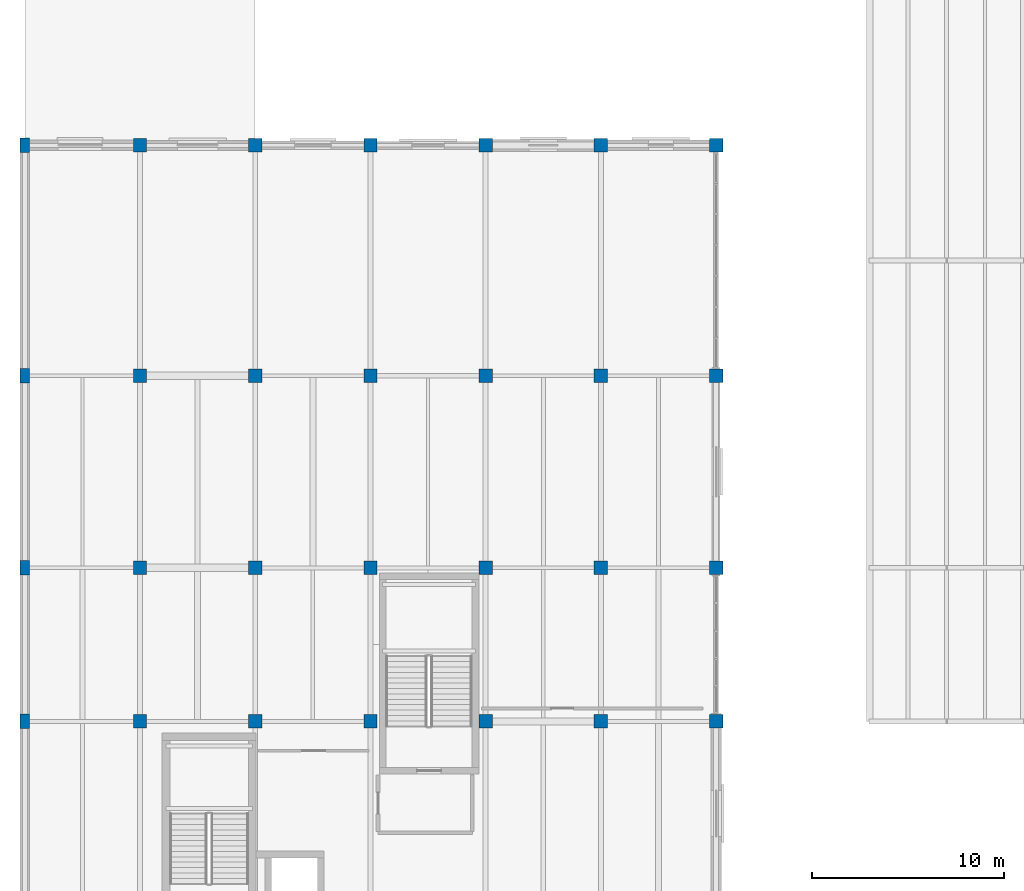
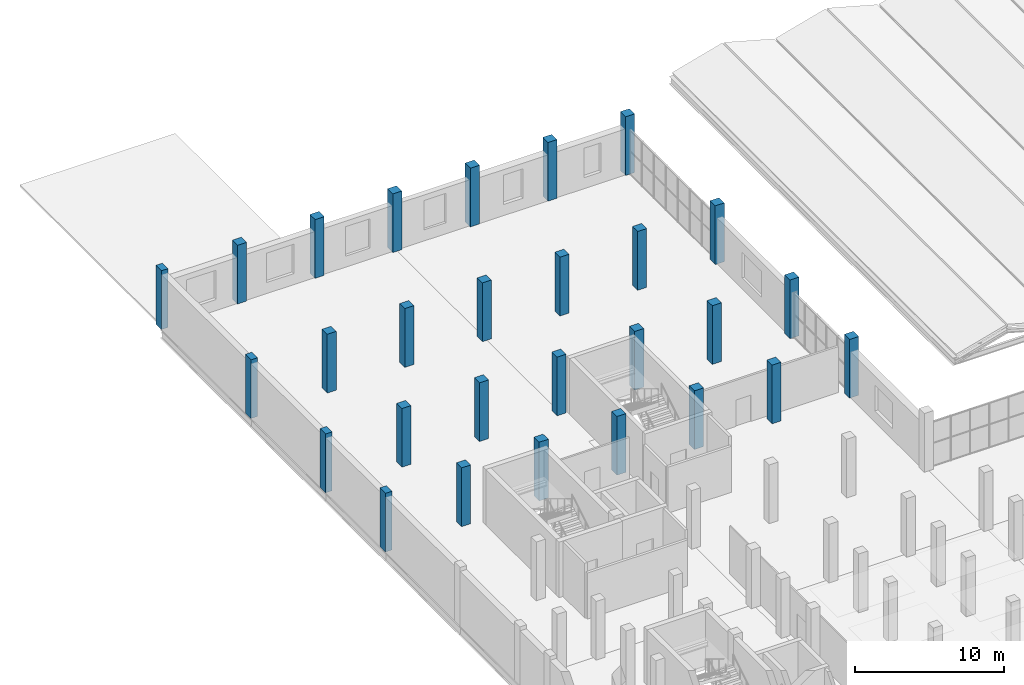
# One storey, part 9 of 114: 28 columns.
"""IFC4 building model written with IfcOpenShell, lengths in metres."""

import ifcopenshell
import ifcopenshell.guid

model = None  # the IFC model being written
_history = None  # IfcOwnerHistory: only IFC2X3 demands one
_inside = {}  # id of a spatial element -> (the spatial element, [elements in it])
_under = {}  # id of a project, library or spatial element -> (it, [spatial elements below it])
_declared = {}  # id of a project -> (the project, [libraries it declares])
_typed = {}  # id of a type object -> (the type object, [elements of that type])
_made_of = {}  # id of a material, layer set ... -> (it, [elements and type objects made of it])


def new_model(schema):
    """Start an empty IFC model of exactly this schema.

    Asked for "IFC4X3", IfcOpenShell would pick the latest addendum, in which some entities
    have other attributes; the version numbers below select the first issue.
    IFC2X3 requires an IfcOwnerHistory on every rooted entity: one is made here for all.
    """
    global model, _history
    if schema == "IFC4X3":
        model = ifcopenshell.file(schema_version=(4, 3, 0, 0))
    else:
        model = ifcopenshell.file(schema=schema)
    _inside.clear()
    _under.clear()
    _declared.clear()
    _typed.clear()
    _made_of.clear()
    _history = None
    if model.schema == "IFC2X3":
        org = make("IfcOrganization", Name="unknown")
        user = make(
            "IfcPersonAndOrganization",
            ThePerson=make("IfcPerson", FamilyName="unknown"),
            TheOrganization=org,
        )
        app = make(
            "IfcApplication",
            ApplicationDeveloper=org,
            Version="unknown",
            ApplicationFullName="unknown",
            ApplicationIdentifier="unknown",
        )
        _history = make(
            "IfcOwnerHistory",
            OwningUser=user,
            OwningApplication=app,
            ChangeAction="ADDED",
            CreationDate=0,
        )
    return model


def make(cls, **values):
    """One entity of the class cls with the attributes given. An attribute that is None is left unset."""
    return model.create_entity(
        cls, **{name: value for name, value in values.items() if value is not None}
    )


def rooted(cls, **values):
    """An entity with a GlobalId (a new one), such as an element, a storey or a relation."""
    return make(cls, GlobalId=ifcopenshell.guid.new(), OwnerHistory=_history, **values)


def si_unit(unit_type, name, prefix=None):
    """IfcSIUnit, for example si_unit("LENGTHUNIT", "METRE", prefix="MILLI")."""
    return make("IfcSIUnit", UnitType=unit_type, Prefix=prefix, Name=name)


def assignment(units):
    """IfcUnitAssignment: the units of a project."""
    return None if units is None else make("IfcUnitAssignment", Units=units)


def point(xyz):
    """IfcCartesianPoint."""
    return None if xyz is None else make("IfcCartesianPoint", Coordinates=xyz)


def direction(xyz):
    """IfcDirection."""
    return None if xyz is None else make("IfcDirection", DirectionRatios=xyz)


def frame(location, z_axis=None, x_axis=None):
    """IfcAxis2Placement3D, a coordinate frame: its origin and axes. An axis left out is left unset."""
    return make(
        "IfcAxis2Placement3D",
        Location=point(location),
        Axis=direction(z_axis),
        RefDirection=direction(x_axis),
    )


def frame_2d(location, x_axis=None):
    """IfcAxis2Placement2D, a coordinate frame in the plane: its origin and x axis."""
    return make(
        "IfcAxis2Placement2D", Location=point(location), RefDirection=direction(x_axis)
    )


def origin():
    """The frame at (0, 0, 0) with its axes left unset."""
    return frame((0.0, 0.0, 0.0))


def origin_2d():
    """The frame at (0, 0) in the plane with its x axis left unset."""
    return frame_2d((0.0, 0.0))


def place(relative_to, where):
    """IfcLocalPlacement: puts the frame where relative to a parent placement (None: the world)."""
    return make(
        "IfcLocalPlacement", PlacementRelTo=relative_to, RelativePlacement=where
    )


def context(
    kind, dimensions, precision=None, world=None, true_north=None, identifier=None
):
    """IfcGeometricRepresentationContext, for example the 3D "Model" context."""
    return make(
        "IfcGeometricRepresentationContext",
        ContextIdentifier=identifier,
        ContextType=kind,
        CoordinateSpaceDimension=dimensions,
        Precision=precision,
        WorldCoordinateSystem=world,
        TrueNorth=true_north,
    )


def subcontext(parent, identifier, kind, view, scale=None):
    """IfcGeometricRepresentationSubContext, for example "Body" below "Model"."""
    return make(
        "IfcGeometricRepresentationSubContext",
        ContextIdentifier=identifier,
        ContextType=kind,
        ParentContext=parent,
        TargetScale=scale,
        TargetView=view,
    )


def project(units=None, contexts=None):
    """IfcProject with its units and contexts."""
    return rooted(
        "IfcProject",
        Name="project",
        RepresentationContexts=contexts,
        UnitsInContext=assignment(units),
    )


def spatial(cls, under=None, at=None, **own):
    """A site, building, storey or space (cls), placed at a placement, below another one or the project."""
    s = rooted(cls, ObjectPlacement=at, **own)
    if under is not None:
        _under.setdefault(under.id(), (under, []))[1].append(s)
    return s


def profile(cls, at=None, kind="AREA", **sizes):
    """A parametric profile (cls). Its sizes go by their IFC names, for example OverallWidth=200.0."""
    return make(cls, ProfileType=kind, Position=at, **sizes)


def rectangle(**sizes):
    """IfcRectangleProfileDef."""
    return profile("IfcRectangleProfileDef", **sizes)


def extrude(swept, where, along, depth):
    """IfcExtrudedAreaSolid: the profile swept, set in the frame where, extruded along a direction by depth."""
    return make(
        "IfcExtrudedAreaSolid",
        SweptArea=swept,
        Position=where,
        ExtrudedDirection=direction(along),
        Depth=depth,
    )


def shape(context_of_items, identifier, shape_type, items):
    """IfcShapeRepresentation: the items that make up one representation, for example the "Body"."""
    return make(
        "IfcShapeRepresentation",
        ContextOfItems=context_of_items,
        RepresentationIdentifier=identifier,
        RepresentationType=shape_type,
        Items=items,
    )


def material(Name=None, Category=None):
    """IfcMaterial."""
    return make("IfcMaterial", Name=Name, Category=Category)


def material_profile(
    of_material, cross_section, Name=None, Category=None, Priority=None
):
    """IfcMaterialProfile: a cross section and its material."""
    return make(
        "IfcMaterialProfile",
        Name=Name,
        Material=of_material,
        Profile=cross_section,
        Priority=Priority,
        Category=Category,
    )


def profile_set(profiles, Name=None, composite=None):
    """IfcMaterialProfileSet."""
    return make(
        "IfcMaterialProfileSet",
        Name=Name,
        MaterialProfiles=profiles,
        CompositeProfile=composite,
    )


def made_of(thing, what):
    """Note that an element or type object is made of a material, layer set ...; save() writes the relation."""
    if what is not None:
        _made_of.setdefault(what.id(), (what, []))[1].append(thing)
    return thing


def type_object(cls, material=None, **own):
    """A type object (cls), such as IfcWallType, which elements share."""
    return made_of(rooted(cls, **own), material)


def element(
    cls,
    number,
    at=None,
    inside=None,
    cuts=None,
    type_object=None,
    material=None,
    context=None,
    identifier="Body",
    shape_type=None,
    held_by="IfcProductDefinitionShape",
    body=None,
    shapes=None,
    **own,
):
    """One element of the class cls, such as IfcWall. Its Tag is "e" and its number.

    at: its placement. inside: the storey or other place that contains it. cuts: it is an
    opening in that element (IfcRelVoidsElement). A single representation is given by context,
    identifier, shape_type and body (its items); several are given by shapes. held_by: the class
    of the entity that holds the representations. save() writes the other relations.
    """
    e = rooted(cls, Tag="e%d" % number, ObjectPlacement=at, **own)
    if body is not None:
        shapes = [shape(context, identifier, shape_type, body)]
    if shapes is not None:
        e.Representation = make(held_by, Representations=shapes)
    if inside is not None:
        _inside.setdefault(inside.id(), (inside, []))[1].append(e)
    if cuts is not None:
        rooted(
            "IfcRelVoidsElement", RelatingBuildingElement=cuts, RelatedOpeningElement=e
        )
    if type_object is not None:
        _typed.setdefault(type_object.id(), (type_object, []))[1].append(e)
    return made_of(e, material)


def aggregate(whole, parts):
    """IfcRelAggregates: a whole, such as a stair, and the parts it consists of."""
    return rooted("IfcRelAggregates", RelatingObject=whole, RelatedObjects=parts)


def save(model, path):
    """Write the relations noted so far, then the file.

    IfcRelAggregates (storeys below a building ...), IfcRelContainedInSpatialStructure (elements
    in a storey), IfcRelDefinesByType, IfcRelAssociatesMaterial and IfcRelDeclares: one each for
    every whole, place, type object, material and project.
    """
    for whole, parts in _under.values():
        aggregate(whole, parts)
    for where, things in _inside.values():
        rooted(
            "IfcRelContainedInSpatialStructure",
            RelatedElements=things,
            RelatingStructure=where,
        )
    for kind, things in _typed.values():
        rooted("IfcRelDefinesByType", RelatedObjects=things, RelatingType=kind)
    for what, things in _made_of.values():
        rooted("IfcRelAssociatesMaterial", RelatedObjects=things, RelatingMaterial=what)
    for by, libraries in _declared.values():
        rooted("IfcRelDeclares", RelatingContext=by, RelatedDefinitions=libraries)
    model.write(path)


model = new_model("IFC4")

# Units and contexts
model_context = context("Model", 3, precision=1e-05, world=origin(), true_north=direction((0.0, 1.0)))
body_context = subcontext(model_context, "Body", "Model", "MODEL_VIEW")
ifc_project = project(units=[si_unit("LENGTHUNIT", "METRE"), si_unit("AREAUNIT", "SQUARE_METRE"), si_unit("VOLUMEUNIT", "CUBIC_METRE"), si_unit("PLANEANGLEUNIT", "RADIAN"), si_unit("MASSUNIT", "GRAM", prefix="KILO")], contexts=[model_context])

# Site, building, storey
site_placement = place(None, origin())
site = spatial("IfcSite", under=ifc_project, at=site_placement, CompositionType="ELEMENT")
building_placement = place(site_placement, origin())
building = spatial("IfcBuilding", under=site, at=building_placement, Name="Verrall Gate Interchange", CompositionType="ELEMENT")
storey_placement = place(building_placement, frame((0.0, 0.0, 6.60009765625)))
storey = spatial("IfcBuildingStorey", under=building, at=storey_placement, Name="L02", CompositionType="ELEMENT", Elevation=6.60009765625)

# Columns
ifc_material_1 = material(Name="Concrete CSA A23.1 40 MPa (Class N)", Category="concrete")
ifc_material_profile_1 = material_profile(ifc_material_1, rectangle(XDim=0.699951171875, YDim=0.699951171875, at=origin_2d()), Name="RC700x700")
ifc_profile_set_1 = profile_set([ifc_material_profile_1], Name="Concrete CSA A23.1 40 MPa (Class N)")
column_type_1 = type_object("IfcColumnType", Name="C-03 Column RC700x700", PredefinedType="COLUMN", material=ifc_profile_set_1)
for number, where, z_axis, x_axis, name in (
    (1, (6.0, 66.0, 0.0), (0.0, 0.0, 1.0), (1.0, 0.0, 0.0), "L02 Column COL-L02-0227 (C-03)"),
    (2, (6.0, 74.0, 0.0), (0.0, 0.0, 1.0), (1.0, 0.0, 0.0), "L02 Column COL-L02-0234 (C-03)"),
    (3, (6.0, 84.0, 0.0), (0.0, 0.0, 1.0), (1.0, 0.0, 0.0), "L02 Column COL-L02-0240 (C-03)"),
    (4, (6.0, 96.0, 0.0), (0.0, 0.0, 1.0), (1.0, 0.0, 0.0), "L02 Column COL-L02-0245 (C-03)"),
    (5, (12.0, 66.0, 0.0), (0.0, 0.0, 1.0), (1.0, 0.0, 0.0), "L02 Column COL-L02-0344 (C-03)"),
    (6, (12.0, 74.0, 0.0), (0.0, 0.0, 1.0), (1.0, 0.0, 0.0), "L02 Column COL-L02-0351 (C-03)"),
    (7, (12.0, 84.0, 0.0), (0.0, 0.0, 1.0), (1.0, 0.0, 0.0), "L02 Column COL-L02-0357 (C-03)"),
    (8, (12.0, 96.0, 0.0), (0.0, 0.0, 1.0), (1.0, 0.0, 0.0), "L02 Column COL-L02-0362 (C-03)"),
    (9, (18.0, 66.0, 0.0), (0.0, 0.0, 1.0), (1.0, 0.0, 0.0), "L02 Column COL-L02-0461 (C-03)"),
    (10, (18.0, 74.0, 0.0), (0.0, 0.0, 1.0), (1.0, 0.0, 0.0), "L02 Column COL-L02-0468 (C-03)"),
    (11, (18.0, 84.0, 0.0), (0.0, 0.0, 1.0), (1.0, 0.0, 0.0), "L02 Column COL-L02-0474 (C-03)"),
    (12, (18.0, 96.0, 0.0), (0.0, 0.0, 1.0), (1.0, 0.0, 0.0), "L02 Column COL-L02-0479 (C-03)"),
    (13, (24.0, 66.0, 0.0), (0.0, 0.0, 1.0), (1.0, 0.0, 0.0), "L02 Column COL-L02-0578 (C-03)"),
    (14, (24.0, 74.0, 0.0), (0.0, 0.0, 1.0), (1.0, 0.0, 0.0), "L02 Column COL-L02-0585 (C-03)"),
    (15, (24.0, 84.0, 0.0), (0.0, 0.0, 1.0), (1.0, 0.0, 0.0), "L02 Column COL-L02-0591 (C-03)"),
    (16, (24.0, 96.0, 0.0), (0.0, 0.0, 1.0), (1.0, 0.0, 0.0), "L02 Column COL-L02-0596 (C-03)"),
    (17, (30.0, 66.0, 0.0), (0.0, 0.0, 1.0), (1.0, 0.0, 0.0), "L02 Column COL-L02-0695 (C-03)"),
    (18, (30.0, 74.0, 0.0), (0.0, 0.0, 1.0), (1.0, 0.0, 0.0), "L02 Column COL-L02-0702 (C-03)"),
    (19, (30.0, 84.0, 0.0), (0.0, 0.0, 1.0), (1.0, 0.0, 0.0), "L02 Column COL-L02-0708 (C-03)"),
    (20, (30.0, 96.0, 0.0), (0.0, 0.0, 1.0), (1.0, 0.0, 0.0), "L02 Column COL-L02-0713 (C-03)"),
    (21, (36.0, 66.0, 0.0), (0.0, 0.0, 1.0), (1.0, 0.0, 0.0), "L02 Column COL-L02-0805 (C-03)"),
    (22, (36.0, 74.0, 0.0), (0.0, 0.0, 1.0), (1.0, 0.0, 0.0), "L02 Column COL-L02-0812 (C-03)"),
    (23, (36.0, 84.0, 0.0), (0.0, 0.0, 1.0), (1.0, 0.0, 0.0), "L02 Column COL-L02-0818 (C-03)"),
    (24, (36.0, 96.0, 0.0), (0.0, 0.0, 1.0), (1.0, 0.0, 0.0), "L02 Column COL-L02-0823 (C-03)"),
):
    element("IfcColumn", number, at=place(storey_placement, frame(where, z_axis=z_axis, x_axis=x_axis)), inside=storey, type_object=column_type_1, Name=name, PredefinedType="COLUMN", context=body_context, shape_type="SweptSolid", body=[
        extrude(rectangle(XDim=0.699951171875, YDim=0.699951171875, at=origin_2d()), origin(), (0.0, 0.0, 1.0), 4.7998046875),
    ])
ifc_material_2 = material(Name="Concrete CSA A23.1 40 MPa (Class C-1)", Category="concrete")
ifc_material_profile_2 = material_profile(ifc_material_2, rectangle(XDim=0.5, YDim=0.75, at=origin_2d()), Name="RC500x750")
ifc_profile_set_2 = profile_set([ifc_material_profile_2], Name="Concrete CSA A23.1 40 MPa (Class C-1)")
column_type_2 = type_object("IfcColumnType", Name="C-05 Pilaster RC500x750", PredefinedType="PILASTER", material=ifc_profile_set_2)
for number, where, z_axis, x_axis, name in (
    (25, (0.0, 66.0, 0.0), (0.0, 0.0, 1.0), (1.0, 0.0, 0.0), "L02 Column COL-L02-0082 (C-05)"),
    (26, (0.0, 74.0, 0.0), (0.0, 0.0, 1.0), (1.0, 0.0, 0.0), "L02 Column COL-L02-0089 (C-05)"),
    (27, (0.0, 84.0, 0.0), (0.0, 0.0, 1.0), (1.0, 0.0, 0.0), "L02 Column COL-L02-0095 (C-05)"),
    (28, (0.0, 96.0, 0.0), (0.0, 0.0, 1.0), (1.0, 0.0, 0.0), "L02 Column COL-L02-0100 (C-05)"),
):
    element("IfcColumn", number, at=place(storey_placement, frame(where, z_axis=z_axis, x_axis=x_axis)), inside=storey, type_object=column_type_2, Name=name, PredefinedType="PILASTER", context=body_context, shape_type="SweptSolid", body=[
        extrude(rectangle(XDim=0.5, YDim=0.75, at=origin_2d()), origin(), (0.0, 0.0, 1.0), 4.7998046875),
    ])

save(model, "model.ifc")
